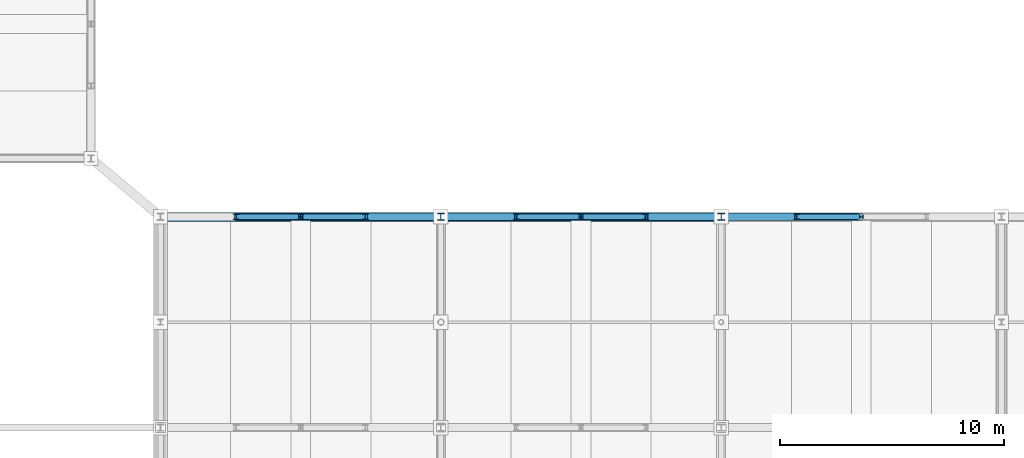
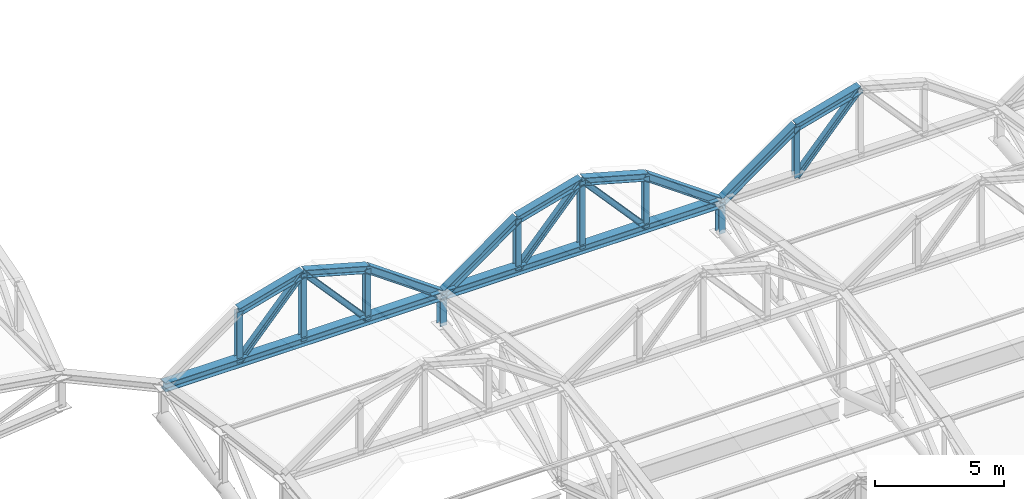
# One storey, part 25 of 117: 25 members.
"""IFC4 building model written with IfcOpenShell, lengths in metres."""

from ifc_helpers import new_model, si_unit, direction, frame, origin, origin_2d, place, context, subcontext, project, spatial, i_section, extrude, material, material_profile, profile_set, type_object, element, save


model = new_model("IFC4")

# Units and contexts
model_context = context("Model", 3, precision=1e-05, world=origin(), true_north=direction((0.0, 1.0)))
body_context = subcontext(model_context, "Body", "Model", "MODEL_VIEW")
ifc_project = project(units=[si_unit("LENGTHUNIT", "METRE"), si_unit("AREAUNIT", "SQUARE_METRE"), si_unit("VOLUMEUNIT", "CUBIC_METRE"), si_unit("PLANEANGLEUNIT", "RADIAN"), si_unit("MASSUNIT", "GRAM", prefix="KILO")], contexts=[model_context])

# Site, building, storey
site_placement = place(None, origin())
site = spatial("IfcSite", under=ifc_project, at=site_placement, CompositionType="ELEMENT")
building_placement = place(site_placement, origin())
building = spatial("IfcBuilding", under=site, at=building_placement, Name="Kazenohara Klinker Stadium", CompositionType="ELEMENT")
storey_placement = place(building_placement, frame((0.0, 0.0, 31.199951171875)))
storey = spatial("IfcBuildingStorey", under=building, at=storey_placement, Name="RF", CompositionType="ELEMENT", Elevation=31.199951171875)

# Members
ifc_material = material(Name="Steel S355", Category="steel")
ifc_material_profile_1 = material_profile(ifc_material, i_section(OverallWidth=0.39990234375, OverallDepth=0.39990234375, WebThickness=0.012939453125, FlangeThickness=0.02099609375, FilletRadius=0.02197265625, at=origin_2d()), Name="H-400x400x13x21")
ifc_profile_set_1 = profile_set([ifc_material_profile_1], Name="Steel S355")
member_type_1 = type_object("IfcMemberType", Name="MEM-CHD01", PredefinedType="CHORD", material=ifc_profile_set_1)
for number, where, z_axis, x_axis, name in (
    (1, (86.5, 45.39990234375, 3.300048828125), (-1.0, 0.0, 0.0), (0.0, -1.0, 0.0), "Inner tension ring chord TC01 segment 30"),
    (2, (74.0, 45.39990234375, 3.300048828125), (-1.0, 0.0, 0.0), (0.0, -1.0, 0.0), "Inner tension ring chord TC01 segment 31"),
):
    element("IfcMember", number, at=place(storey_placement, frame(where, z_axis=z_axis, x_axis=x_axis)), inside=storey, type_object=member_type_1, Name=name, PredefinedType="CHORD", context=body_context, shape_type="SweptSolid", body=[
        extrude(i_section(OverallWidth=0.39990234375, OverallDepth=0.39990234375, WebThickness=0.012939453125, FlangeThickness=0.02099609375, FilletRadius=0.02197265625, at=origin_2d()), origin(), (0.0, 0.0, 1.0), 12.5),
    ])
ifc_material_profile_2 = material_profile(ifc_material, i_section(OverallWidth=0.35009765625, OverallDepth=0.35009765625, WebThickness=0.011962890625, FlangeThickness=0.01904296875, FilletRadius=0.012939453125, at=origin_2d()), Name="H-350x350x12x19")
ifc_profile_set_2 = profile_set([ifc_material_profile_2], Name="Steel S355")
member_type_2 = type_object("IfcMemberType", Name="MEM-CHD02", PredefinedType="CHORD", material=ifc_profile_set_2)
for number, where, z_axis, x_axis, name in (
    (3, (64.875, 45.39990234375, 5.699951171875), (0.963393567269, 0.0, 0.268091093745), (0.0, 1.0, 0.0), "Barrel arch top rib TC02 S-01-N5-S2"),
    (4, (67.75, 45.39990234375, 6.5), (0.963393567269, 0.0, -0.268091093745), (0.0, 1.0, 0.0), "Barrel arch top rib TC02 S-01-N5-S3"),
):
    element("IfcMember", number, at=place(storey_placement, frame(where, z_axis=z_axis, x_axis=x_axis)), inside=storey, type_object=member_type_2, Name=name, PredefinedType="CHORD", context=body_context, shape_type="SweptSolid", body=[
        extrude(i_section(OverallWidth=0.35009765625, OverallDepth=0.35009765625, WebThickness=0.011962890625, FlangeThickness=0.01904296875, FilletRadius=0.012939453125, at=origin_2d()), origin(), (0.0, 0.0, 1.0), 2.984130859375),
    ])
for number, where, z_axis, x_axis, name in (
    (5, (70.625, 45.39990234375, 5.699951171875), (0.814966461491, 0.0, -0.579508124744), (0.0, 1.0, 0.0), "Barrel arch top rib TC02 S-01-N5-S4"),
    (6, (74.0, 45.39990234375, 3.300048828125), (0.814966461491, 0.0, 0.579508124744), (0.0, 1.0, 0.0), "Barrel arch top rib TC02 S-02-N5-S1"),
):
    element("IfcMember", number, at=place(storey_placement, frame(where, z_axis=z_axis, x_axis=x_axis)), inside=storey, type_object=member_type_2, Name=name, PredefinedType="CHORD", context=body_context, shape_type="SweptSolid", body=[
        extrude(i_section(OverallWidth=0.35009765625, OverallDepth=0.35009765625, WebThickness=0.011962890625, FlangeThickness=0.01904296875, FilletRadius=0.012939453125, at=origin_2d()), origin(), (0.0, 0.0, 1.0), 4.141357421875),
    ])
for number, where, z_axis, x_axis, name in (
    (7, (77.375, 45.39990234375, 5.699951171875), (0.963393567269, 0.0, 0.268091093745), (0.0, 1.0, 0.0), "Barrel arch top rib TC02 S-02-N5-S2"),
    (8, (80.25, 45.39990234375, 6.5), (0.963393567269, 0.0, -0.268091093745), (0.0, 1.0, 0.0), "Barrel arch top rib TC02 S-02-N5-S3"),
):
    element("IfcMember", number, at=place(storey_placement, frame(where, z_axis=z_axis, x_axis=x_axis)), inside=storey, type_object=member_type_2, Name=name, PredefinedType="CHORD", context=body_context, shape_type="SweptSolid", body=[
        extrude(i_section(OverallWidth=0.35009765625, OverallDepth=0.35009765625, WebThickness=0.011962890625, FlangeThickness=0.01904296875, FilletRadius=0.012939453125, at=origin_2d()), origin(), (0.0, 0.0, 1.0), 2.984130859375),
    ])
for number, where, z_axis, x_axis, name in (
    (9, (83.125, 45.39990234375, 5.699951171875), (0.814966461491, 0.0, -0.579508124744), (0.0, 1.0, 0.0), "Barrel arch top rib TC02 S-02-N5-S4"),
    (10, (86.5, 45.39990234375, 3.300048828125), (0.814966461491, 0.0, 0.579508124744), (0.0, 1.0, 0.0), "Barrel arch top rib TC02 S-03-N5-S1"),
):
    element("IfcMember", number, at=place(storey_placement, frame(where, z_axis=z_axis, x_axis=x_axis)), inside=storey, type_object=member_type_2, Name=name, PredefinedType="CHORD", context=body_context, shape_type="SweptSolid", body=[
        extrude(i_section(OverallWidth=0.35009765625, OverallDepth=0.35009765625, WebThickness=0.011962890625, FlangeThickness=0.01904296875, FilletRadius=0.012939453125, at=origin_2d()), origin(), (0.0, 0.0, 1.0), 4.141357421875),
    ])
member_1_placement = place(storey_placement, frame((89.875, 45.39990234375, 5.699951171875), z_axis=(0.963393567269, 0.0, 0.268091093745), x_axis=(0.0, 1.0, 0.0)))
element("IfcMember", 11, at=member_1_placement, inside=storey, type_object=member_type_2, Name="Barrel arch top rib TC02 S-03-N5-S2", PredefinedType="CHORD", context=body_context, shape_type="SweptSolid", body=[
    extrude(i_section(OverallWidth=0.35009765625, OverallDepth=0.35009765625, WebThickness=0.011962890625, FlangeThickness=0.01904296875, FilletRadius=0.012939453125, at=origin_2d()), origin(), (0.0, 0.0, 1.0), 2.984130859375),
])
ifc_material_profile_3 = material_profile(ifc_material, i_section(OverallWidth=0.300048828125, OverallDepth=0.300048828125, WebThickness=0.010009765625, FlangeThickness=0.014892578125, FilletRadius=0.012939453125, at=origin_2d()), Name="H-300x300x10x15")
ifc_profile_set_3 = profile_set([ifc_material_profile_3], Name="Steel S355")
member_type_3 = type_object("IfcMemberType", Name="MEM-STR01", PredefinedType="STRUT", material=ifc_profile_set_3)
for number, where, z_axis, x_axis, name in (
    (12, (74.0, 45.39990234375, 1.85009765625), (0.0, 0.0, 1.0), (1.0, 0.0, 0.0), "ROOF TRUSS RT-S02 web post 6"),
    (13, (86.5, 45.39990234375, 1.85009765625), (0.0, 0.0, 1.0), (1.0, 0.0, 0.0), "ROOF TRUSS RT-S03 web post 6"),
):
    element("IfcMember", number, at=place(storey_placement, frame(where, z_axis=z_axis, x_axis=x_axis)), inside=storey, type_object=member_type_3, Name=name, PredefinedType="STRUT", context=body_context, shape_type="SweptSolid", body=[
        extrude(i_section(OverallWidth=0.300048828125, OverallDepth=0.300048828125, WebThickness=0.010009765625, FlangeThickness=0.014892578125, FilletRadius=0.012939453125, at=origin_2d()), origin(), (0.0, 0.0, 1.0), 1.449951171875),
    ])
ifc_material_profile_4 = material_profile(ifc_material, i_section(OverallWidth=0.25, OverallDepth=0.25, WebThickness=0.009033203125, FlangeThickness=0.013916015625, FilletRadius=0.012939453125, at=origin_2d()), Name="H-250x250x9x14")
ifc_profile_set_4 = profile_set([ifc_material_profile_4], Name="Steel S355")
member_type_4 = type_object("IfcMemberType", Name="MEM-STR02", PredefinedType="STRUT", material=ifc_profile_set_4)
member_2_placement = place(storey_placement, frame((64.875, 45.39990234375, 3.300048828125), z_axis=(0.0, 0.0, 1.0), x_axis=(1.0, 0.0, 0.0)))
element("IfcMember", 14, at=member_2_placement, inside=storey, type_object=member_type_4, Name="Barrel arch web post TS02 S-01-N5-P1", PredefinedType="STRUT", context=body_context, shape_type="SweptSolid", body=[
    extrude(i_section(OverallWidth=0.25, OverallDepth=0.25, WebThickness=0.009033203125, FlangeThickness=0.013916015625, FilletRadius=0.012939453125, at=origin_2d()), origin(), (0.0, 0.0, 1.0), 2.39990234375),
])
member_3_placement = place(storey_placement, frame((67.75, 45.39990234375, 3.300048828125), z_axis=(0.0, 0.0, 1.0), x_axis=(1.0, 0.0, 0.0)))
element("IfcMember", 15, at=member_3_placement, inside=storey, type_object=member_type_4, Name="Barrel arch web post TS02 S-01-N5-P2", PredefinedType="STRUT", context=body_context, shape_type="SweptSolid", body=[
    extrude(i_section(OverallWidth=0.25, OverallDepth=0.25, WebThickness=0.009033203125, FlangeThickness=0.013916015625, FilletRadius=0.012939453125, at=origin_2d()), origin(), (0.0, 0.0, 1.0), 3.199951171875),
])
member_4_placement = place(storey_placement, frame((70.625, 45.39990234375, 3.300048828125), z_axis=(0.0, 0.0, 1.0), x_axis=(1.0, 0.0, 0.0)))
element("IfcMember", 16, at=member_4_placement, inside=storey, type_object=member_type_4, Name="Barrel arch web post TS02 S-01-N5-P3", PredefinedType="STRUT", context=body_context, shape_type="SweptSolid", body=[
    extrude(i_section(OverallWidth=0.25, OverallDepth=0.25, WebThickness=0.009033203125, FlangeThickness=0.013916015625, FilletRadius=0.012939453125, at=origin_2d()), origin(), (0.0, 0.0, 1.0), 2.39990234375),
])
for number, where, z_axis, x_axis, name in (
    (17, (64.875, 45.39990234375, 3.300048828125), (0.668327970369, 0.0, 0.74386673808), (0.0, 1.0, 0.0), "Barrel arch web diagonal TS02 S-01-N5-D1"),
    (18, (70.625, 45.39990234375, 3.300048828125), (-0.668327970369, 0.0, 0.74386673808), (0.0, -1.0, 0.0), "Barrel arch web diagonal TS02 S-01-N5-D2"),
):
    element("IfcMember", number, at=place(storey_placement, frame(where, z_axis=z_axis, x_axis=x_axis)), inside=storey, type_object=member_type_4, Name=name, PredefinedType="STRUT", context=body_context, shape_type="SweptSolid", body=[
        extrude(i_section(OverallWidth=0.25, OverallDepth=0.25, WebThickness=0.009033203125, FlangeThickness=0.013916015625, FilletRadius=0.012939453125, at=origin_2d()), origin(), (0.0, 0.0, 1.0), 4.3017578125),
    ])
member_5_placement = place(storey_placement, frame((77.375, 45.39990234375, 3.300048828125), z_axis=(0.0, 0.0, 1.0), x_axis=(1.0, 0.0, 0.0)))
element("IfcMember", 19, at=member_5_placement, inside=storey, type_object=member_type_4, Name="Barrel arch web post TS02 S-02-N5-P1", PredefinedType="STRUT", context=body_context, shape_type="SweptSolid", body=[
    extrude(i_section(OverallWidth=0.25, OverallDepth=0.25, WebThickness=0.009033203125, FlangeThickness=0.013916015625, FilletRadius=0.012939453125, at=origin_2d()), origin(), (0.0, 0.0, 1.0), 2.39990234375),
])
member_6_placement = place(storey_placement, frame((80.25, 45.39990234375, 3.300048828125), z_axis=(0.0, 0.0, 1.0), x_axis=(1.0, 0.0, 0.0)))
element("IfcMember", 20, at=member_6_placement, inside=storey, type_object=member_type_4, Name="Barrel arch web post TS02 S-02-N5-P2", PredefinedType="STRUT", context=body_context, shape_type="SweptSolid", body=[
    extrude(i_section(OverallWidth=0.25, OverallDepth=0.25, WebThickness=0.009033203125, FlangeThickness=0.013916015625, FilletRadius=0.012939453125, at=origin_2d()), origin(), (0.0, 0.0, 1.0), 3.199951171875),
])
member_7_placement = place(storey_placement, frame((83.125, 45.39990234375, 3.300048828125), z_axis=(0.0, 0.0, 1.0), x_axis=(1.0, 0.0, 0.0)))
element("IfcMember", 21, at=member_7_placement, inside=storey, type_object=member_type_4, Name="Barrel arch web post TS02 S-02-N5-P3", PredefinedType="STRUT", context=body_context, shape_type="SweptSolid", body=[
    extrude(i_section(OverallWidth=0.25, OverallDepth=0.25, WebThickness=0.009033203125, FlangeThickness=0.013916015625, FilletRadius=0.012939453125, at=origin_2d()), origin(), (0.0, 0.0, 1.0), 2.39990234375),
])
for number, where, z_axis, x_axis, name in (
    (22, (77.375, 45.39990234375, 3.300048828125), (0.668327970369, 0.0, 0.74386673808), (0.0, 1.0, 0.0), "Barrel arch web diagonal TS02 S-02-N5-D1"),
    (23, (83.125, 45.39990234375, 3.300048828125), (-0.668327970369, 0.0, 0.74386673808), (0.0, -1.0, 0.0), "Barrel arch web diagonal TS02 S-02-N5-D2"),
):
    element("IfcMember", number, at=place(storey_placement, frame(where, z_axis=z_axis, x_axis=x_axis)), inside=storey, type_object=member_type_4, Name=name, PredefinedType="STRUT", context=body_context, shape_type="SweptSolid", body=[
        extrude(i_section(OverallWidth=0.25, OverallDepth=0.25, WebThickness=0.009033203125, FlangeThickness=0.013916015625, FilletRadius=0.012939453125, at=origin_2d()), origin(), (0.0, 0.0, 1.0), 4.3017578125),
    ])
member_8_placement = place(storey_placement, frame((89.875, 45.39990234375, 3.300048828125), z_axis=(0.0, 0.0, 1.0), x_axis=(1.0, 0.0, 0.0)))
element("IfcMember", 24, at=member_8_placement, inside=storey, type_object=member_type_4, Name="Barrel arch web post TS02 S-03-N5-P1", PredefinedType="STRUT", context=body_context, shape_type="SweptSolid", body=[
    extrude(i_section(OverallWidth=0.25, OverallDepth=0.25, WebThickness=0.009033203125, FlangeThickness=0.013916015625, FilletRadius=0.012939453125, at=origin_2d()), origin(), (0.0, 0.0, 1.0), 2.39990234375),
])
member_9_placement = place(storey_placement, frame((89.875, 45.39990234375, 3.300048828125), z_axis=(0.668327970369, 0.0, 0.74386673808), x_axis=(0.0, 1.0, 0.0)))
element("IfcMember", 25, at=member_9_placement, inside=storey, type_object=member_type_4, Name="Barrel arch web diagonal TS02 S-03-N5-D1", PredefinedType="STRUT", context=body_context, shape_type="SweptSolid", body=[
    extrude(i_section(OverallWidth=0.25, OverallDepth=0.25, WebThickness=0.009033203125, FlangeThickness=0.013916015625, FilletRadius=0.012939453125, at=origin_2d()), origin(), (0.0, 0.0, 1.0), 4.3017578125),
])

save(model, "model.ifc")
